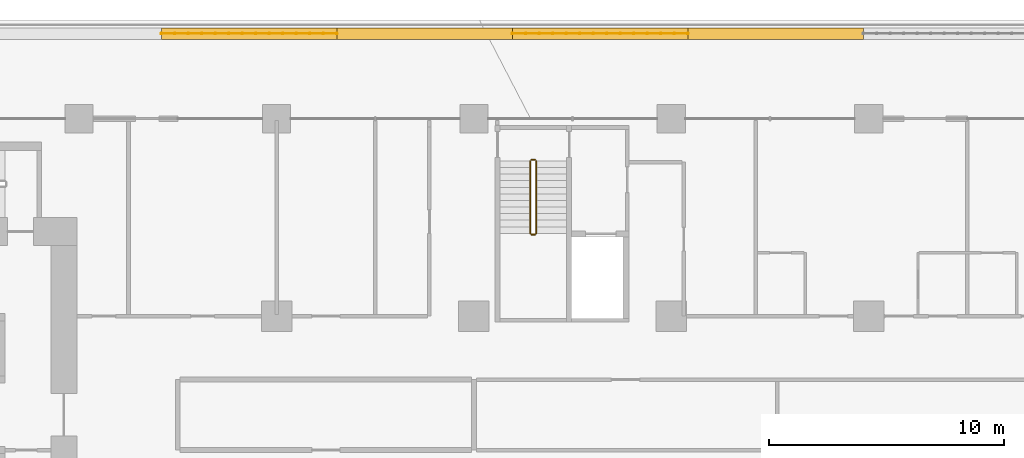
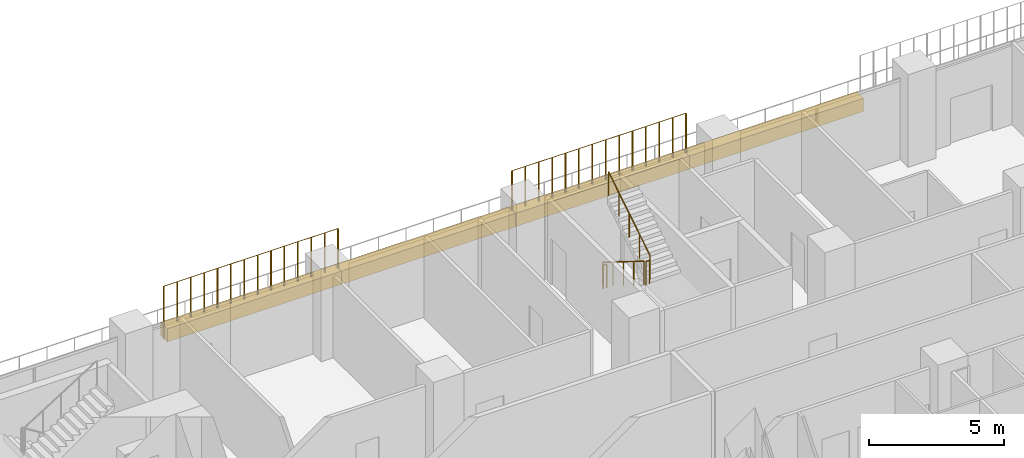
# One storey, part 27 of 28: 6 railings, 4 coverings.
"""IFC4 building model written with IfcOpenShell, lengths in metres."""

from ifc_helpers import new_model, si_unit, direction, frame, origin, origin_2d, place, context, subcontext, project, spatial, rectangle, circle, extrude, material, material_profile, profile_set, type_object, element, save


model = new_model("IFC4")

# Units and contexts
model_context = context("Model", 3, precision=1e-05, world=origin(), true_north=direction((0.0, 1.0)))
body_context = subcontext(model_context, "Body", "Model", "MODEL_VIEW")
ifc_project = project(units=[si_unit("LENGTHUNIT", "METRE"), si_unit("AREAUNIT", "SQUARE_METRE"), si_unit("VOLUMEUNIT", "CUBIC_METRE"), si_unit("PLANEANGLEUNIT", "RADIAN"), si_unit("MASSUNIT", "GRAM", prefix="KILO")], contexts=[model_context])

# Site, building, storey
site_placement = place(None, origin())
site = spatial("IfcSite", under=ifc_project, at=site_placement, CompositionType="ELEMENT")
building_placement = place(site_placement, origin())
building = spatial("IfcBuilding", under=site, at=building_placement, Name="Kawkab Arch Medical Tower", CompositionType="ELEMENT")
storey_placement = place(building_placement, frame((0.0, 0.0, 89.60009765625)))
storey = spatial("IfcBuildingStorey", under=building, at=storey_placement, Name="L20", CompositionType="ELEMENT", Elevation=89.60009765625)

# Coverings
ifc_material_1 = material(Name="Planting soil in a precast trough", Category="concrete")
ifc_material_profile = material_profile(ifc_material_1, rectangle(XDim=0.5, YDim=0.60009765625, at=origin_2d()), Name="Trough 500x600")
ifc_profile_set = profile_set([ifc_material_profile], Name="Planting soil in a precast trough")
covering_type = type_object("IfcCoveringType", Name="Planter trough 500 x 600", PredefinedType="USERDEFINED", material=ifc_profile_set)
for number, where, z_axis, x_axis, name in (
    (1, (28.695068359375, 3.6201171875, 0.2998046875), (1.0, 0.0, 0.0), (0.0, 1.0, 0.0), "Planter L20.LOG-01-01.23"),
    (2, (36.1650390625, 3.6201171875, 0.2998046875), (1.0, 0.0, 0.0), (0.0, 1.0, 0.0), "Planter L20.LOG-01-01.24"),
    (3, (43.635009765625, 3.6201171875, 0.2998046875), (1.0, 0.0, 0.0), (0.0, 1.0, 0.0), "Planter L20.LOG-01-01.25"),
):
    element("IfcCovering", number, at=place(storey_placement, frame(where, z_axis=z_axis, x_axis=x_axis)), inside=storey, type_object=covering_type, Name=name, ObjectType="PLANTER", PredefinedType="USERDEFINED", context=body_context, shape_type="SweptSolid", body=[
        extrude(rectangle(XDim=0.5, YDim=0.60009765625, at=origin_2d()), origin(), (0.0, 0.0, 1.0), 7.469970703125),
    ])
covering_placement = place(storey_placement, frame((51.10498046875, 3.6201171875, 0.2998046875), z_axis=(1.0, 0.0, 0.0), x_axis=(0.0, 1.0, 0.0)))
element("IfcCovering", 4, at=covering_placement, inside=storey, type_object=covering_type, Name="Planter L20.LOG-01-01.26", ObjectType="PLANTER", PredefinedType="USERDEFINED", context=body_context, shape_type="SweptSolid", body=[
    extrude(rectangle(XDim=0.5, YDim=0.60009765625, at=origin_2d()), origin(), (0.0, 0.0, 1.0), 7.470947265625),
])

# Railings
ifc_material_2 = material(Name="Bronze anodised aluminium trellis for climbing plants", Category="aluminium")
railing_type_1 = type_object("IfcRailingType", Name="Planting trellis 2400", PredefinedType="USERDEFINED", material=ifc_material_2)
railing_1_placement = place(storey_placement, frame((28.695068359375, 3.6201171875, 0.0)))
element("IfcRailing", 5, at=railing_1_placement, inside=storey, type_object=railing_type_1, Name="Planting trellis L20.LOG-01-01.23", ObjectType="TRELLIS", PredefinedType="USERDEFINED", context=body_context, shape_type="SweptSolid", body=[
    extrude(circle(Radius=0.01513671875, at=origin_2d()), frame((0.0, 0.0, 2.384765625), z_axis=(1.0, 0.0, 0.0), x_axis=(0.0, 1.0, 0.0)), (0.0, 0.0, 1.0), 7.469970703125),
    extrude(circle(Radius=0.030029296875, at=origin_2d()), origin(), (0.0, 0.0, 1.0), 2.369873046875),
    extrude(circle(Radius=0.030029296875, at=origin_2d()), frame((0.57470703125, 0.0, 0.0)), (0.0, 0.0, 1.0), 2.369873046875),
    extrude(circle(Radius=0.030029296875, at=origin_2d()), frame((1.149169921875, 0.0, 0.0)), (0.0, 0.0, 1.0), 2.369873046875),
    extrude(circle(Radius=0.030029296875, at=origin_2d()), frame((1.723876953125, 0.0, 0.0)), (0.0, 0.0, 1.0), 2.369873046875),
    extrude(circle(Radius=0.030029296875, at=origin_2d()), frame((2.29833984375, 0.0, 0.0)), (0.0, 0.0, 1.0), 2.369873046875),
    extrude(circle(Radius=0.030029296875, at=origin_2d()), frame((2.873046875, 0.0, 0.0)), (0.0, 0.0, 1.0), 2.369873046875),
    extrude(circle(Radius=0.030029296875, at=origin_2d()), frame((3.44775390625, 0.0, 0.0)), (0.0, 0.0, 1.0), 2.369873046875),
    extrude(circle(Radius=0.030029296875, at=origin_2d()), frame((4.022216796875, 0.0, 0.0)), (0.0, 0.0, 1.0), 2.369873046875),
    extrude(circle(Radius=0.030029296875, at=origin_2d()), frame((4.596923828125, 0.0, 0.0)), (0.0, 0.0, 1.0), 2.369873046875),
    extrude(circle(Radius=0.030029296875, at=origin_2d()), frame((5.171630859375, 0.0, 0.0)), (0.0, 0.0, 1.0), 2.369873046875),
    extrude(circle(Radius=0.030029296875, at=origin_2d()), frame((5.74609375, 0.0, 0.0)), (0.0, 0.0, 1.0), 2.369873046875),
    extrude(circle(Radius=0.030029296875, at=origin_2d()), frame((6.32080078125, 0.0, 0.0)), (0.0, 0.0, 1.0), 2.369873046875),
    extrude(circle(Radius=0.030029296875, at=origin_2d()), frame((6.895263671875, 0.0, 0.0)), (0.0, 0.0, 1.0), 2.369873046875),
    extrude(circle(Radius=0.030029296875, at=origin_2d()), frame((7.469970703125, 0.0, 0.0)), (0.0, 0.0, 1.0), 2.369873046875),
])
railing_2_placement = place(storey_placement, frame((43.635009765625, 3.6201171875, 0.0)))
element("IfcRailing", 6, at=railing_2_placement, inside=storey, type_object=railing_type_1, Name="Planting trellis L20.LOG-01-01.25", ObjectType="TRELLIS", PredefinedType="USERDEFINED", context=body_context, shape_type="SweptSolid", body=[
    extrude(circle(Radius=0.01513671875, at=origin_2d()), frame((0.0, 0.0, 2.384765625), z_axis=(1.0, 0.0, 0.0), x_axis=(0.0, 1.0, 0.0)), (0.0, 0.0, 1.0), 7.469970703125),
    extrude(circle(Radius=0.030029296875, at=origin_2d()), origin(), (0.0, 0.0, 1.0), 2.369873046875),
    extrude(circle(Radius=0.030029296875, at=origin_2d()), frame((0.57470703125, 0.0, 0.0)), (0.0, 0.0, 1.0), 2.369873046875),
    extrude(circle(Radius=0.030029296875, at=origin_2d()), frame((1.149169921875, 0.0, 0.0)), (0.0, 0.0, 1.0), 2.369873046875),
    extrude(circle(Radius=0.030029296875, at=origin_2d()), frame((1.723876953125, 0.0, 0.0)), (0.0, 0.0, 1.0), 2.369873046875),
    extrude(circle(Radius=0.030029296875, at=origin_2d()), frame((2.29833984375, 0.0, 0.0)), (0.0, 0.0, 1.0), 2.369873046875),
    extrude(circle(Radius=0.030029296875, at=origin_2d()), frame((2.873046875, 0.0, 0.0)), (0.0, 0.0, 1.0), 2.369873046875),
    extrude(circle(Radius=0.030029296875, at=origin_2d()), frame((3.44775390625, 0.0, 0.0)), (0.0, 0.0, 1.0), 2.369873046875),
    extrude(circle(Radius=0.030029296875, at=origin_2d()), frame((4.022216796875, 0.0, 0.0)), (0.0, 0.0, 1.0), 2.369873046875),
    extrude(circle(Radius=0.030029296875, at=origin_2d()), frame((4.596923828125, 0.0, 0.0)), (0.0, 0.0, 1.0), 2.369873046875),
    extrude(circle(Radius=0.030029296875, at=origin_2d()), frame((5.171630859375, 0.0, 0.0)), (0.0, 0.0, 1.0), 2.369873046875),
    extrude(circle(Radius=0.030029296875, at=origin_2d()), frame((5.74609375, 0.0, 0.0)), (0.0, 0.0, 1.0), 2.369873046875),
    extrude(circle(Radius=0.030029296875, at=origin_2d()), frame((6.32080078125, 0.0, 0.0)), (0.0, 0.0, 1.0), 2.369873046875),
    extrude(circle(Radius=0.030029296875, at=origin_2d()), frame((6.895263671875, 0.0, 0.0)), (0.0, 0.0, 1.0), 2.369873046875),
    extrude(circle(Radius=0.030029296875, at=origin_2d()), frame((7.469970703125, 0.0, 0.0)), (0.0, 0.0, 1.0), 2.369873046875),
])
ifc_material_3 = material(Name="Stainless steel", Category="steel")
railing_type_2 = type_object("IfcRailingType", Name="Stair guard 1100", PredefinedType="GUARDRAIL", material=ifc_material_3)
railing_3_placement = place(storey_placement, frame((44.39990234375, -1.800048828125, 0.1748046875)))
element("IfcRailing", 7, at=railing_3_placement, inside=storey, type_object=railing_type_2, Name="L20 ST5 stair guard 1", PredefinedType="GUARDRAIL", context=body_context, shape_type="SweptSolid", body=[
    extrude(circle(Radius=0.02392578125, at=origin_2d()), frame((0.0, 0.0, 1.076171875), z_axis=(0.0, -0.847979421464, 0.530029150871), x_axis=(1.0, 0.0, 0.0)), (0.0, 0.0, 1.0), 3.632080078125),
    extrude(circle(Radius=0.02099609375, at=origin_2d()), origin(), (0.0, 0.0, 1.0), 1.052001953125),
    extrude(circle(Radius=0.02099609375, at=origin_2d()), frame((0.0, -0.77001953125, 0.481201171875)), (0.0, 0.0, 1.0), 1.052001953125),
    extrude(circle(Radius=0.02099609375, at=origin_2d()), frame((0.0, -1.5400390625, 0.96240234375)), (0.0, 0.0, 1.0), 1.052001953125),
    extrude(circle(Radius=0.02099609375, at=origin_2d()), frame((0.0, -2.309814453125, 1.44384765625)), (0.0, 0.0, 1.0), 1.052001953125),
    extrude(circle(Radius=0.02099609375, at=origin_2d()), frame((0.0, -3.079833984375, 1.925048828125)), (0.0, 0.0, 1.0), 1.052001953125),
])
railing_4_placement = place(storey_placement, frame((44.449951171875, -4.929931640625, 2.099853515625)))
element("IfcRailing", 8, at=railing_4_placement, inside=storey, type_object=railing_type_2, Name="L20 ST5 stair guard 2", PredefinedType="GUARDRAIL", context=body_context, shape_type="SweptSolid", body=[
    extrude(circle(Radius=0.02392578125, at=origin_2d()), frame((0.0, 0.0, 1.076171875), z_axis=(1.0, 0.0, 0.0), x_axis=(0.0, 1.0, 0.0)), (0.0, 0.0, 1.0), 0.150146484375),
    extrude(circle(Radius=0.02099609375, at=origin_2d()), origin(), (0.0, 0.0, 1.0), 1.052001953125),
    extrude(circle(Radius=0.02099609375, at=origin_2d()), frame((0.150146484375, 0.0, 0.0)), (0.0, 0.0, 1.0), 1.052001953125),
])
railing_5_placement = place(storey_placement, frame((44.64990234375, -4.8798828125, 2.27490234375)))
element("IfcRailing", 9, at=railing_5_placement, inside=storey, type_object=railing_type_2, Name="L20 ST5 stair guard 3", PredefinedType="GUARDRAIL", context=body_context, shape_type="SweptSolid", body=[
    extrude(circle(Radius=0.02392578125, at=origin_2d()), frame((0.0, 0.0, 1.076171875), z_axis=(0.0, 0.847979421464, 0.530029150871), x_axis=(-1.0, 0.0, 0.0)), (0.0, 0.0, 1.0), 3.632080078125),
    extrude(circle(Radius=0.02099609375, at=origin_2d()), origin(), (0.0, 0.0, 1.0), 1.052001953125),
    extrude(circle(Radius=0.02099609375, at=origin_2d()), frame((0.0, 0.77001953125, 0.481201171875)), (0.0, 0.0, 1.0), 1.052001953125),
    extrude(circle(Radius=0.02099609375, at=origin_2d()), frame((0.0, 1.5400390625, 0.96240234375)), (0.0, 0.0, 1.0), 1.052001953125),
    extrude(circle(Radius=0.02099609375, at=origin_2d()), frame((0.0, 2.309814453125, 1.44384765625)), (0.0, 0.0, 1.0), 1.052001953125),
    extrude(circle(Radius=0.02099609375, at=origin_2d()), frame((0.0, 3.079833984375, 1.925048828125)), (0.0, 0.0, 1.0), 1.052001953125),
])
railing_6_placement = place(storey_placement, frame((44.449951171875, -1.75, 0.0)))
element("IfcRailing", 10, at=railing_6_placement, inside=storey, type_object=railing_type_2, Name="L20 ST5 stair guard 4", PredefinedType="GUARDRAIL", context=body_context, shape_type="SweptSolid", body=[
    extrude(circle(Radius=0.02392578125, at=origin_2d()), frame((0.0, 0.0, 1.076171875), z_axis=(1.0, 0.0, 0.0), x_axis=(0.0, 1.0, 0.0)), (0.0, 0.0, 1.0), 0.150146484375),
    extrude(circle(Radius=0.02099609375, at=origin_2d()), origin(), (0.0, 0.0, 1.0), 1.052001953125),
    extrude(circle(Radius=0.02099609375, at=origin_2d()), frame((0.150146484375, 0.0, 0.0)), (0.0, 0.0, 1.0), 1.052001953125),
])

save(model, "model.ifc")
